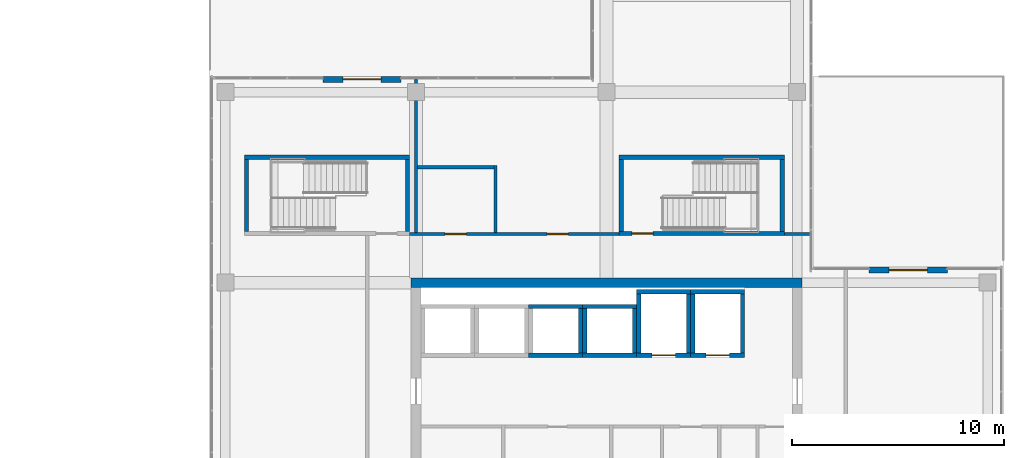
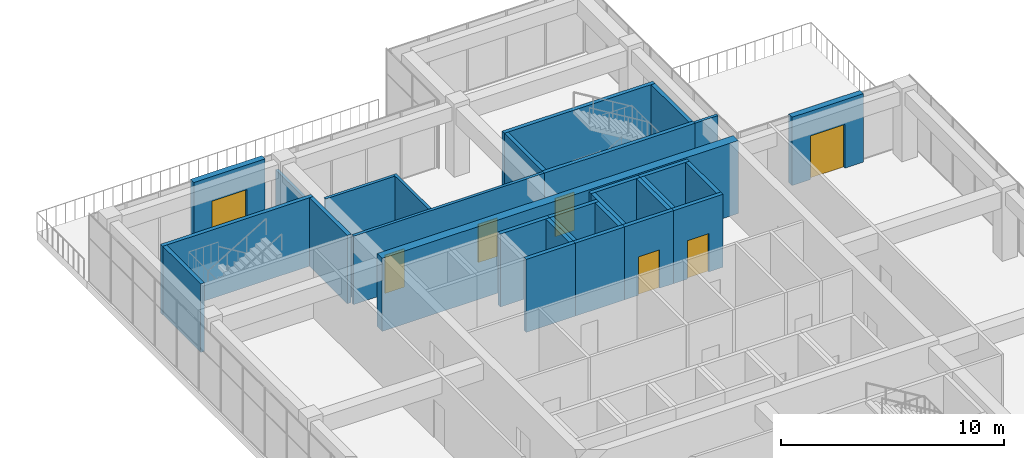
# One storey, part 75 of 81: 30 walls, 7 doors, 7 openings.
"""IFC4 building model written with IfcOpenShell, lengths in metres."""

from ifc_helpers import new_model, si_unit, direction, frame, frame_2d, origin, place, context, subcontext, project, spatial, rectangle, extrude, material, layer, layer_set, type_object, element, fill, save


model = new_model("IFC4")

# Units and contexts
model_context = context("Model", 3, precision=1e-05, world=origin(), true_north=direction((0.0, 1.0)))
body_context = subcontext(model_context, "Body", "Model", "MODEL_VIEW")
ifc_project = project(units=[si_unit("LENGTHUNIT", "METRE"), si_unit("AREAUNIT", "SQUARE_METRE"), si_unit("VOLUMEUNIT", "CUBIC_METRE"), si_unit("PLANEANGLEUNIT", "RADIAN"), si_unit("MASSUNIT", "GRAM", prefix="KILO")], contexts=[model_context])

# Site, building, storey
site_placement = place(None, origin())
site = spatial("IfcSite", under=ifc_project, at=site_placement, CompositionType="ELEMENT")
building_placement = place(site_placement, origin())
building = spatial("IfcBuilding", under=site, at=building_placement, Name="Tuart Plaza Theatre", CompositionType="ELEMENT")
storey_placement = place(building_placement, frame((0.0, 0.0, 17.5)))
storey = spatial("IfcBuildingStorey", under=building, at=storey_placement, Name="L04", CompositionType="ELEMENT", Elevation=17.5)

# Wall, openings, doors
ifc_material_1 = material(Name="Masonry block", Category="masonry")
ifc_layer_1 = layer(ifc_material_1, 0.14990234375)
ifc_layer_set_1 = layer_set([ifc_layer_1], Name="PARTITION BLK150 MASONRYB FRL 120/-/-")
wall_type_1 = type_object("IfcWallType", Name="PARTITION BLK150 MASONRYB FRL 120/-/-", PredefinedType="PARTITIONING", material=ifc_layer_set_1)
wall_1_placement = place(storey_placement, frame((122.699951171875, 85.300048828125, 0.0), z_axis=(0.0, 0.0, 1.0), x_axis=(1.0, 0.0, 0.0)))
wall_1 = element("IfcWall", 1, at=wall_1_placement, inside=storey, type_object=wall_type_1, Name="P628", PredefinedType="PARTITIONING", context=body_context, shape_type="SweptSolid", body=[
    extrude(rectangle(XDim=9.900146484375, YDim=0.14990234375, at=frame_2d((4.9501953125, 0.0))), origin(), (0.0, 0.0, 1.0), 3.75),
])
opening_1_placement = place(wall_1_placement, frame((1.675048828125, 0.0, 0.0)))
opening_1 = element("IfcOpeningElement", 2, at=opening_1_placement, cuts=wall_1, Name="Opening L04-045", PredefinedType="OPENING", context=body_context, shape_type="SweptSolid", body=[
    extrude(rectangle(XDim=1.0, YDim=2.10009765625, at=frame_2d((0.5, 1.050048828125))), frame((0.0, 0.0849609375, 0.0), z_axis=(0.0, -1.0, 0.0), x_axis=(1.0, 0.0, 0.0)), (0.0, 0.0, 1.0), 0.169921875),
])
opening_2_placement = place(wall_1_placement, frame((6.49755859375, 0.0, 0.0)))
opening_2 = element("IfcOpeningElement", 3, at=opening_2_placement, cuts=wall_1, Name="Opening L04-048", PredefinedType="OPENING", context=body_context, shape_type="SweptSolid", body=[
    extrude(rectangle(XDim=1.0, YDim=2.10009765625, at=frame_2d((0.5, 1.050048828125))), frame((0.0, 0.0849609375, 0.0), z_axis=(0.0, -1.0, 0.0), x_axis=(1.0, 0.0, 0.0)), (0.0, 0.0, 1.0), 0.169921875),
])
ifc_material_2 = material(Name="Timber", Category="wood")
door_type_1 = type_object("IfcDoorType", Name="DOOR 1000x2100 timber single swing FRL -/60/30", OperationType="SINGLE_SWING_LEFT", PredefinedType="DOOR", material=ifc_material_2)
door_1_placement = place(opening_1_placement, origin())
door_1 = element("IfcDoor", 4, at=door_1_placement, inside=storey, type_object=door_type_1, Name="L04-045", OperationType="SINGLE_SWING_LEFT", OverallHeight=2.10009765625, OverallWidth=1.0, PredefinedType="DOOR", context=body_context, shape_type="SweptSolid", body=[
    extrude(rectangle(XDim=1.0, YDim=2.10009765625, at=frame_2d((0.5, 1.050048828125))), frame((0.0, 0.02490234375, 0.0), z_axis=(0.0, -1.0, 0.0), x_axis=(1.0, 0.0, 0.0)), (0.0, 0.0, 1.0), 0.050048828125),
])
fill(opening_1, door_1)
door_2_placement = place(opening_2_placement, origin())
door_2 = element("IfcDoor", 5, at=door_2_placement, inside=storey, type_object=door_type_1, Name="L04-048", OperationType="SINGLE_SWING_LEFT", OverallHeight=2.10009765625, OverallWidth=1.0, PredefinedType="DOOR", context=body_context, shape_type="SweptSolid", body=[
    extrude(rectangle(XDim=1.0, YDim=2.10009765625, at=frame_2d((0.5, 1.050048828125))), frame((0.0, 0.02490234375, 0.0), z_axis=(0.0, -1.0, 0.0), x_axis=(1.0, 0.0, 0.0)), (0.0, 0.0, 1.0), 0.050048828125),
])
fill(opening_2, door_2)

# Walls
wall_2_placement = place(storey_placement, frame((140.39990234375, 85.300048828125, 0.0), z_axis=(0.0, 0.0, 1.0), x_axis=(1.0, 0.0, 0.0)))
element("IfcWall", 6, at=wall_2_placement, inside=storey, type_object=wall_type_1, Name="P629", PredefinedType="PARTITIONING", context=body_context, shape_type="SweptSolid", body=[
    extrude(rectangle(XDim=1.2001953125, YDim=0.14990234375, at=frame_2d((0.60009765625, 0.0))), origin(), (0.0, 0.0, 1.0), 3.75),
])
wall_3_placement = place(storey_placement, frame((123.0, 85.3740234375, 0.0), z_axis=(0.0, 0.0, 1.0), x_axis=(0.0, 1.0, 0.0)))
element("IfcWall", 7, at=wall_3_placement, inside=storey, type_object=wall_type_1, Name="P631", PredefinedType="PARTITIONING", context=body_context, shape_type="SweptSolid", body=[
    extrude(rectangle(XDim=7.22607421875, YDim=0.14990234375, at=frame_2d((3.613037109375, 0.0))), origin(), (0.0, 0.0, 1.0), 2.85009765625),
])
wall_4_placement = place(storey_placement, frame((123.074951171875, 88.449951171875, 0.0), z_axis=(0.0, 0.0, 1.0), x_axis=(1.0, 0.0, 0.0)))
element("IfcWall", 8, at=wall_4_placement, inside=storey, type_object=wall_type_1, Name="P634", PredefinedType="PARTITIONING", context=body_context, shape_type="SweptSolid", body=[
    extrude(rectangle(XDim=3.60009765625, YDim=0.14990234375, at=frame_2d((1.800048828125, 0.0))), origin(), (0.0, 0.0, 1.0), 3.75),
])
wall_5_placement = place(storey_placement, frame((126.75, 85.375, 0.0), z_axis=(0.0, 0.0, 1.0), x_axis=(0.0, 1.0, 0.0)))
element("IfcWall", 9, at=wall_5_placement, inside=storey, type_object=wall_type_1, Name="P635", PredefinedType="PARTITIONING", context=body_context, shape_type="SweptSolid", body=[
    extrude(rectangle(XDim=3.14990234375, YDim=0.14990234375, at=frame_2d((1.574951171875, 0.0))), origin(), (0.0, 0.0, 1.0), 3.75),
])
ifc_material_3 = material(Name="Concrete N40 (40 MPa)", Category="concrete")
ifc_layer_2 = layer(ifc_material_3, 0.199951171875)
ifc_layer_set_2 = layer_set([ifc_layer_2], Name="SHEAR WALL RC200 FRL 120/120/120")
wall_type_2 = type_object("IfcWallType", Name="SHEAR WALL RC200 FRL 120/120/120", PredefinedType="SHEAR", material=ifc_layer_set_2)
wall_6_placement = place(storey_placement, frame((128.324951171875, 79.574951171875, 0.0), z_axis=(0.0, 0.0, 1.0), x_axis=(1.0, 0.0, 0.0)))
element("IfcWall", 10, at=wall_6_placement, inside=storey, type_object=wall_type_2, Name="W886", PredefinedType="SHEAR", context=body_context, shape_type="SweptSolid", body=[
    extrude(rectangle(XDim=2.550048828125, YDim=0.199951171875, at=frame_2d((1.27490234375, 0.0))), origin(), (0.0, 0.0, 1.0), 4.0),
])
wall_7_placement = place(storey_placement, frame((130.77490234375, 79.675048828125, 0.0), z_axis=(0.0, 0.0, 1.0), x_axis=(0.0, 1.0, 0.0)))
element("IfcWall", 11, at=wall_7_placement, inside=storey, type_object=wall_type_2, Name="W887", PredefinedType="SHEAR", context=body_context, shape_type="SweptSolid", body=[
    extrude(rectangle(XDim=2.099853515625, YDim=0.199951171875, at=frame_2d((1.0498046875, 0.0))), origin(), (0.0, 0.0, 1.0), 4.0),
])
for number, where, z_axis, x_axis, name in (
    (12, (130.875, 81.875, 0.0), (0.0, 0.0, 1.0), (-1.0, 0.0, 0.0), "W888"),
    (13, (130.875, 79.574951171875, 0.0), (0.0, 0.0, 1.0), (1.0, 0.0, 0.0), "W958"),
):
    element("IfcWall", number, at=place(storey_placement, frame(where, z_axis=z_axis, x_axis=x_axis)), inside=storey, type_object=wall_type_2, Name=name, PredefinedType="SHEAR", context=body_context, shape_type="SweptSolid", body=[
        extrude(rectangle(XDim=2.550048828125, YDim=0.199951171875, at=frame_2d((1.27490234375, 0.0))), origin(), (0.0, 0.0, 1.0), 4.0),
    ])
wall_8_placement = place(storey_placement, frame((133.324951171875, 79.675048828125, 0.0), z_axis=(0.0, 0.0, 1.0), x_axis=(0.0, 1.0, 0.0)))
element("IfcWall", 14, at=wall_8_placement, inside=storey, type_object=wall_type_2, Name="W959", PredefinedType="SHEAR", context=body_context, shape_type="SweptSolid", body=[
    extrude(rectangle(XDim=2.099853515625, YDim=0.199951171875, at=frame_2d((1.0498046875, 0.0))), origin(), (0.0, 0.0, 1.0), 4.0),
])
wall_9_placement = place(storey_placement, frame((133.425048828125, 81.875, 0.0), z_axis=(0.0, 0.0, 1.0), x_axis=(-1.0, 0.0, 0.0)))
element("IfcWall", 15, at=wall_9_placement, inside=storey, type_object=wall_type_2, Name="W960", PredefinedType="SHEAR", context=body_context, shape_type="SweptSolid", body=[
    extrude(rectangle(XDim=2.550048828125, YDim=0.199951171875, at=frame_2d((1.27490234375, 0.0))), origin(), (0.0, 0.0, 1.0), 4.0),
])
wall_10_placement = place(storey_placement, frame((130.97509765625, 81.77490234375, 0.0), z_axis=(0.0, 0.0, 1.0), x_axis=(0.0, -1.0, 0.0)))
element("IfcWall", 16, at=wall_10_placement, inside=storey, type_object=wall_type_2, Name="W961", PredefinedType="SHEAR", context=body_context, shape_type="SweptSolid", body=[
    extrude(rectangle(XDim=2.099853515625, YDim=0.199951171875, at=frame_2d((1.0498046875, 0.0))), origin(), (0.0, 0.0, 1.0), 4.0),
])

# Wall, opening, door
wall_11_placement = place(storey_placement, frame((133.425048828125, 79.574951171875, 0.0), z_axis=(0.0, 0.0, 1.0), x_axis=(1.0, 0.0, 0.0)))
wall_11 = element("IfcWall", 17, at=wall_11_placement, inside=storey, type_object=wall_type_2, Name="W1182", PredefinedType="SHEAR", context=body_context, shape_type="SweptSolid", body=[
    extrude(rectangle(XDim=2.550048828125, YDim=0.199951171875, at=frame_2d((1.27490234375, 0.0))), origin(), (0.0, 0.0, 1.0), 4.0),
])
opening_3_placement = place(wall_11_placement, frame((0.72509765625, 0.0, 0.0)))
opening_3 = element("IfcOpeningElement", 18, at=opening_3_placement, cuts=wall_11, Name="Opening L04-029", PredefinedType="OPENING", context=body_context, shape_type="SweptSolid", body=[
    extrude(rectangle(XDim=1.10009765625, YDim=2.10009765625, at=frame_2d((0.550048828125, 1.050048828125))), frame((0.0, 0.10986328125, 0.0), z_axis=(0.0, -1.0, 0.0), x_axis=(1.0, 0.0, 0.0)), (0.0, 0.0, 1.0), 0.219970703125),
])
ifc_material_4 = material(Name="Steel Grade 300", Category="steel")
door_type_2 = type_object("IfcDoorType", Name="LANDING DOOR 1100x2100 steel sliding FRL -/120/30", OperationType="SLIDING_TO_LEFT", PredefinedType="DOOR", material=ifc_material_4)
door_3_placement = place(opening_3_placement, origin())
door_3 = element("IfcDoor", 19, at=door_3_placement, inside=storey, type_object=door_type_2, Name="L04-029", OperationType="SLIDING_TO_LEFT", OverallHeight=2.10009765625, OverallWidth=1.10009765625, PredefinedType="DOOR", context=body_context, shape_type="SweptSolid", body=[
    extrude(rectangle(XDim=1.10009765625, YDim=2.10009765625, at=frame_2d((0.550048828125, 1.050048828125))), frame((0.0, 0.02490234375, 0.0), z_axis=(0.0, -1.0, 0.0), x_axis=(1.0, 0.0, 0.0)), (0.0, 0.0, 1.0), 0.050048828125),
])
fill(opening_3, door_3)

# Walls
wall_12_placement = place(storey_placement, frame((135.875, 79.675048828125, 0.0), z_axis=(0.0, 0.0, 1.0), x_axis=(0.0, 1.0, 0.0)))
element("IfcWall", 20, at=wall_12_placement, inside=storey, type_object=wall_type_2, Name="W1183", PredefinedType="SHEAR", context=body_context, shape_type="SweptSolid", body=[
    extrude(rectangle(XDim=2.800048828125, YDim=0.199951171875, at=frame_2d((1.39990234375, 0.0))), origin(), (0.0, 0.0, 1.0), 4.0),
])
wall_13_placement = place(storey_placement, frame((135.97509765625, 82.574951171875, 0.0), z_axis=(0.0, 0.0, 1.0), x_axis=(-1.0, 0.0, 0.0)))
element("IfcWall", 21, at=wall_13_placement, inside=storey, type_object=wall_type_2, Name="W1184", PredefinedType="SHEAR", context=body_context, shape_type="SweptSolid", body=[
    extrude(rectangle(XDim=2.550048828125, YDim=0.199951171875, at=frame_2d((1.27490234375, 0.0))), origin(), (0.0, 0.0, 1.0), 4.0),
])
wall_14_placement = place(storey_placement, frame((133.52490234375, 82.47509765625, 0.0), z_axis=(0.0, 0.0, 1.0), x_axis=(0.0, -1.0, 0.0)))
element("IfcWall", 22, at=wall_14_placement, inside=storey, type_object=wall_type_2, Name="W1185", PredefinedType="SHEAR", context=body_context, shape_type="SweptSolid", body=[
    extrude(rectangle(XDim=2.800048828125, YDim=0.199951171875, at=frame_2d((1.39990234375, 0.0))), origin(), (0.0, 0.0, 1.0), 4.0),
])

# Wall, opening, door
wall_15_placement = place(storey_placement, frame((135.97509765625, 79.574951171875, 0.0), z_axis=(0.0, 0.0, 1.0), x_axis=(1.0, 0.0, 0.0)))
wall_15 = element("IfcWall", 23, at=wall_15_placement, inside=storey, type_object=wall_type_2, Name="W1258", PredefinedType="SHEAR", context=body_context, shape_type="SweptSolid", body=[
    extrude(rectangle(XDim=2.5498046875, YDim=0.199951171875, at=frame_2d((1.27490234375, 0.0))), origin(), (0.0, 0.0, 1.0), 4.0),
])
opening_4_placement = place(wall_15_placement, frame((0.72509765625, 0.0, 0.0)))
opening_4 = element("IfcOpeningElement", 24, at=opening_4_placement, cuts=wall_15, Name="Opening L04-030", PredefinedType="OPENING", context=body_context, shape_type="SweptSolid", body=[
    extrude(rectangle(XDim=1.10009765625, YDim=2.10009765625, at=frame_2d((0.550048828125, 1.050048828125))), frame((0.0, 0.10986328125, 0.0), z_axis=(0.0, -1.0, 0.0), x_axis=(1.0, 0.0, 0.0)), (0.0, 0.0, 1.0), 0.219970703125),
])
door_4_placement = place(opening_4_placement, origin())
door_4 = element("IfcDoor", 25, at=door_4_placement, inside=storey, type_object=door_type_2, Name="L04-030", OperationType="SLIDING_TO_LEFT", OverallHeight=2.10009765625, OverallWidth=1.10009765625, PredefinedType="DOOR", context=body_context, shape_type="SweptSolid", body=[
    extrude(rectangle(XDim=1.10009765625, YDim=2.10009765625, at=frame_2d((0.550048828125, 1.050048828125))), frame((0.0, 0.02490234375, 0.0), z_axis=(0.0, -1.0, 0.0), x_axis=(1.0, 0.0, 0.0)), (0.0, 0.0, 1.0), 0.050048828125),
])
fill(opening_4, door_4)

# Walls
wall_16_placement = place(storey_placement, frame((138.425048828125, 79.675048828125, 0.0), z_axis=(0.0, 0.0, 1.0), x_axis=(0.0, 1.0, 0.0)))
element("IfcWall", 26, at=wall_16_placement, inside=storey, type_object=wall_type_2, Name="W1259", PredefinedType="SHEAR", context=body_context, shape_type="SweptSolid", body=[
    extrude(rectangle(XDim=2.800048828125, YDim=0.199951171875, at=frame_2d((1.39990234375, 0.0))), origin(), (0.0, 0.0, 1.0), 4.0),
])
wall_17_placement = place(storey_placement, frame((138.52490234375, 82.574951171875, 0.0), z_axis=(0.0, 0.0, 1.0), x_axis=(-1.0, 0.0, 0.0)))
element("IfcWall", 27, at=wall_17_placement, inside=storey, type_object=wall_type_2, Name="W1260", PredefinedType="SHEAR", context=body_context, shape_type="SweptSolid", body=[
    extrude(rectangle(XDim=2.5498046875, YDim=0.199951171875, at=frame_2d((1.27490234375, 0.0))), origin(), (0.0, 0.0, 1.0), 4.0),
])
wall_18_placement = place(storey_placement, frame((136.074951171875, 82.47509765625, 0.0), z_axis=(0.0, 0.0, 1.0), x_axis=(0.0, -1.0, 0.0)))
element("IfcWall", 28, at=wall_18_placement, inside=storey, type_object=wall_type_2, Name="W1261", PredefinedType="SHEAR", context=body_context, shape_type="SweptSolid", body=[
    extrude(rectangle(XDim=2.800048828125, YDim=0.199951171875, at=frame_2d((1.39990234375, 0.0))), origin(), (0.0, 0.0, 1.0), 4.0),
])

# Wall, opening, door
wall_19_placement = place(storey_placement, frame((132.60009765625, 85.324951171875, 0.0), z_axis=(0.0, 0.0, 1.0), x_axis=(1.0, 0.0, 0.0)))
wall_19 = element("IfcWall", 29, at=wall_19_placement, inside=storey, type_object=wall_type_2, Name="P428", PredefinedType="SHEAR", context=body_context, shape_type="SweptSolid", body=[
    extrude(rectangle(XDim=7.7998046875, YDim=0.199951171875, at=frame_2d((3.89990234375, 0.0))), origin(), (0.0, 0.0, 1.0), 3.75),
])
opening_5_placement = place(wall_19_placement, frame((0.60009765625, 0.0, 0.0)))
opening_5 = element("IfcOpeningElement", 30, at=opening_5_placement, cuts=wall_19, Name="Opening L04-032", PredefinedType="OPENING", context=body_context, shape_type="SweptSolid", body=[
    extrude(rectangle(XDim=1.0, YDim=2.10009765625, at=frame_2d((0.5, 1.050048828125))), frame((0.0, 0.10986328125, 0.0), z_axis=(0.0, -1.0, 0.0), x_axis=(1.0, 0.0, 0.0)), (0.0, 0.0, 1.0), 0.219970703125),
])
ifc_material_5 = material(Name="Steel Grade 300", Category="steel")
door_type_3 = type_object("IfcDoorType", Name="DOOR 1000x2100 steel single swing FRL -/120/30", OperationType="SINGLE_SWING_LEFT", PredefinedType="DOOR", material=ifc_material_5)
door_5_placement = place(opening_5_placement, origin())
door_5 = element("IfcDoor", 31, at=door_5_placement, inside=storey, type_object=door_type_3, Name="L04-032", OperationType="SINGLE_SWING_RIGHT", OverallHeight=2.10009765625, OverallWidth=1.0, PredefinedType="DOOR", context=body_context, shape_type="SweptSolid", body=[
    extrude(rectangle(XDim=1.0, YDim=2.10009765625, at=frame_2d((0.5, 1.050048828125))), frame((0.0, 0.02490234375, 0.0), z_axis=(0.0, -1.0, 0.0), x_axis=(1.0, 0.0, 0.0)), (0.0, 0.0, 1.0), 0.050048828125),
])
fill(opening_5, door_5)

# Walls
wall_20_placement = place(storey_placement, frame((140.300048828125, 85.425048828125, 0.0), z_axis=(0.0, 0.0, 1.0), x_axis=(0.0, 1.0, 0.0)))
element("IfcWall", 32, at=wall_20_placement, inside=storey, type_object=wall_type_2, Name="P429", PredefinedType="SHEAR", context=body_context, shape_type="SweptSolid", body=[
    extrude(rectangle(XDim=3.39990234375, YDim=0.199951171875, at=frame_2d((1.699951171875, 0.0))), origin(), (0.0, 0.0, 1.0), 3.75),
])
wall_21_placement = place(storey_placement, frame((140.39990234375, 88.925048828125, 0.0), z_axis=(0.0, 0.0, 1.0), x_axis=(-1.0, 0.0, 0.0)))
element("IfcWall", 33, at=wall_21_placement, inside=storey, type_object=wall_type_2, Name="P430", PredefinedType="SHEAR", context=body_context, shape_type="SweptSolid", body=[
    extrude(rectangle(XDim=7.7998046875, YDim=0.199951171875, at=frame_2d((3.89990234375, 0.0))), origin(), (0.0, 0.0, 1.0), 3.75),
])
for number, where, z_axis, x_axis, name in (
    (34, (132.699951171875, 88.824951171875, 0.0), (0.0, 0.0, 1.0), (0.0, -1.0, 0.0), "P431"),
    (35, (122.60009765625, 85.425048828125, 0.0), (0.0, 0.0, 1.0), (0.0, 1.0, 0.0), "P457"),
):
    element("IfcWall", number, at=place(storey_placement, frame(where, z_axis=z_axis, x_axis=x_axis)), inside=storey, type_object=wall_type_2, Name=name, PredefinedType="SHEAR", context=body_context, shape_type="SweptSolid", body=[
        extrude(rectangle(XDim=3.39990234375, YDim=0.199951171875, at=frame_2d((1.699951171875, 0.0))), origin(), (0.0, 0.0, 1.0), 3.75),
    ])
wall_22_placement = place(storey_placement, frame((122.699951171875, 88.925048828125, 0.0), z_axis=(0.0, 0.0, 1.0), x_axis=(-1.0, 0.0, 0.0)))
element("IfcWall", 36, at=wall_22_placement, inside=storey, type_object=wall_type_2, Name="P458", PredefinedType="SHEAR", context=body_context, shape_type="SweptSolid", body=[
    extrude(rectangle(XDim=7.800048828125, YDim=0.199951171875, at=frame_2d((3.89990234375, 0.0))), origin(), (0.0, 0.0, 1.0), 3.75),
])
wall_23_placement = place(storey_placement, frame((115.0, 88.824951171875, 0.0), z_axis=(0.0, 0.0, 1.0), x_axis=(0.0, -1.0, 0.0)))
element("IfcWall", 37, at=wall_23_placement, inside=storey, type_object=wall_type_2, Name="P459", PredefinedType="SHEAR", context=body_context, shape_type="SweptSolid", body=[
    extrude(rectangle(XDim=3.39990234375, YDim=0.199951171875, at=frame_2d((1.699951171875, 0.0))), origin(), (0.0, 0.0, 1.0), 3.75),
])
ifc_material_6 = material(Name="Concrete N50 (50 MPa)", Category="concrete")
ifc_layer_3 = layer(ifc_material_6, 0.449951171875)
ifc_layer_set_3 = layer_set([ifc_layer_3], Name="SHEAR WALL RC450 N50 FRL 120/120/120")
wall_type_3 = type_object("IfcWallType", Name="SHEAR WALL RC450 N50 FRL 120/120/120", PredefinedType="SHEAR", material=ifc_layer_set_3)
wall_24_placement = place(storey_placement, frame((141.22509765625, 83.0, 0.0), z_axis=(0.0, 0.0, 1.0), x_axis=(-1.0, 0.0, 0.0)))
element("IfcWall", 38, at=wall_24_placement, inside=storey, type_object=wall_type_3, Name="W381", PredefinedType="SHEAR", context=body_context, shape_type="SweptSolid", body=[
    extrude(rectangle(XDim=18.4501953125, YDim=0.449951171875, at=frame_2d((9.22509765625, 0.0))), origin(), (0.0, 0.0, 1.0), 4.0),
])

# Wall, opening, door
ifc_material_7 = material(Name="Concrete N40 (40 MPa)", Category="concrete")
ifc_layer_4 = layer(ifc_material_7, 0.300048828125)
ifc_layer_set_4 = layer_set([ifc_layer_4], Name="WALL RC300 EXT clad")
wall_type_4 = type_object("IfcWallType", Name="WALL RC300 EXT clad", PredefinedType="SOLIDWALL", material=ifc_layer_set_4)
wall_25_placement = place(storey_placement, frame((148.10009765625, 83.60009765625, 0.0), z_axis=(0.0, 0.0, 1.0), x_axis=(-1.0, 0.0, 0.0)))
wall_25 = element("IfcWall", 39, at=wall_25_placement, inside=storey, type_object=wall_type_4, Name="P125", PredefinedType="SOLIDWALL", context=body_context, shape_type="SweptSolid", body=[
    extrude(rectangle(XDim=3.7001953125, YDim=0.300048828125, at=frame_2d((1.85009765625, 0.0))), origin(), (0.0, 0.0, 1.0), 3.75),
])
opening_6_placement = place(wall_25_placement, frame((0.949951171875, 0.0, 0.0)))
opening_6 = element("IfcOpeningElement", 40, at=opening_6_placement, cuts=wall_25, Name="Opening L04-004", PredefinedType="OPENING", context=body_context, shape_type="SweptSolid", body=[
    extrude(rectangle(XDim=1.800048828125, YDim=2.39990234375, at=frame_2d((0.89990234375, 1.199951171875))), frame((0.0, 0.159912109375, 0.0), z_axis=(0.0, -1.0, 0.0), x_axis=(1.0, 0.0, 0.0)), (0.0, 0.0, 1.0), 0.320068359375),
])
ifc_material_8 = material(Name="Aluminium", Category="aluminium")
door_type_4 = type_object("IfcDoorType", Name="DOOR 1800x2400 aluminium double swing glazed", OperationType="DOUBLE_DOOR_SINGLE_SWING", PredefinedType="DOOR", material=ifc_material_8)
door_6_placement = place(opening_6_placement, frame((1.800048828125, 0.0, 0.0), z_axis=(0.0, 0.0, 1.0), x_axis=(-1.0, 0.0, 0.0)))
door_6 = element("IfcDoor", 41, at=door_6_placement, inside=storey, type_object=door_type_4, Name="L04-004", OperationType="DOUBLE_DOOR_SINGLE_SWING", OverallHeight=2.39990234375, OverallWidth=1.800048828125, PredefinedType="DOOR", context=body_context, shape_type="SweptSolid", body=[
    extrude(rectangle(XDim=1.800048828125, YDim=2.39990234375, at=frame_2d((0.89990234375, 1.199951171875))), frame((0.0, 0.02490234375, 0.0), z_axis=(0.0, -1.0, 0.0), x_axis=(1.0, 0.0, 0.0)), (0.0, 0.0, 1.0), 0.050048828125),
])
fill(opening_6, door_6)

wall_26_placement = place(storey_placement, frame((122.300048828125, 92.60009765625, 0.0), z_axis=(0.0, 0.0, 1.0), x_axis=(-1.0, 0.0, 0.0)))
wall_26 = element("IfcWall", 42, at=wall_26_placement, inside=storey, type_object=wall_type_4, Name="P126", PredefinedType="SOLIDWALL", context=body_context, shape_type="SweptSolid", body=[
    extrude(rectangle(XDim=3.699951171875, YDim=0.300048828125, at=frame_2d((1.85009765625, 0.0))), origin(), (0.0, 0.0, 1.0), 3.75),
])
opening_7_placement = place(wall_26_placement, frame((0.949951171875, 0.0, 0.0)))
opening_7 = element("IfcOpeningElement", 43, at=opening_7_placement, cuts=wall_26, Name="Opening L04-005", PredefinedType="OPENING", context=body_context, shape_type="SweptSolid", body=[
    extrude(rectangle(XDim=1.800048828125, YDim=2.39990234375, at=frame_2d((0.89990234375, 1.199951171875))), frame((0.0, 0.159912109375, 0.0), z_axis=(0.0, -1.0, 0.0), x_axis=(1.0, 0.0, 0.0)), (0.0, 0.0, 1.0), 0.320068359375),
])
door_7_placement = place(opening_7_placement, frame((1.800048828125, 0.0, 0.0), z_axis=(0.0, 0.0, 1.0), x_axis=(-1.0, 0.0, 0.0)))
door_7 = element("IfcDoor", 44, at=door_7_placement, inside=storey, type_object=door_type_4, Name="L04-005", OperationType="DOUBLE_DOOR_SINGLE_SWING", OverallHeight=2.39990234375, OverallWidth=1.800048828125, PredefinedType="DOOR", context=body_context, shape_type="SweptSolid", body=[
    extrude(rectangle(XDim=1.800048828125, YDim=2.39990234375, at=frame_2d((0.89990234375, 1.199951171875))), frame((0.0, 0.02490234375, 0.0), z_axis=(0.0, -1.0, 0.0), x_axis=(1.0, 0.0, 0.0)), (0.0, 0.0, 1.0), 0.050048828125),
])
fill(opening_7, door_7)

save(model, "model.ifc")
